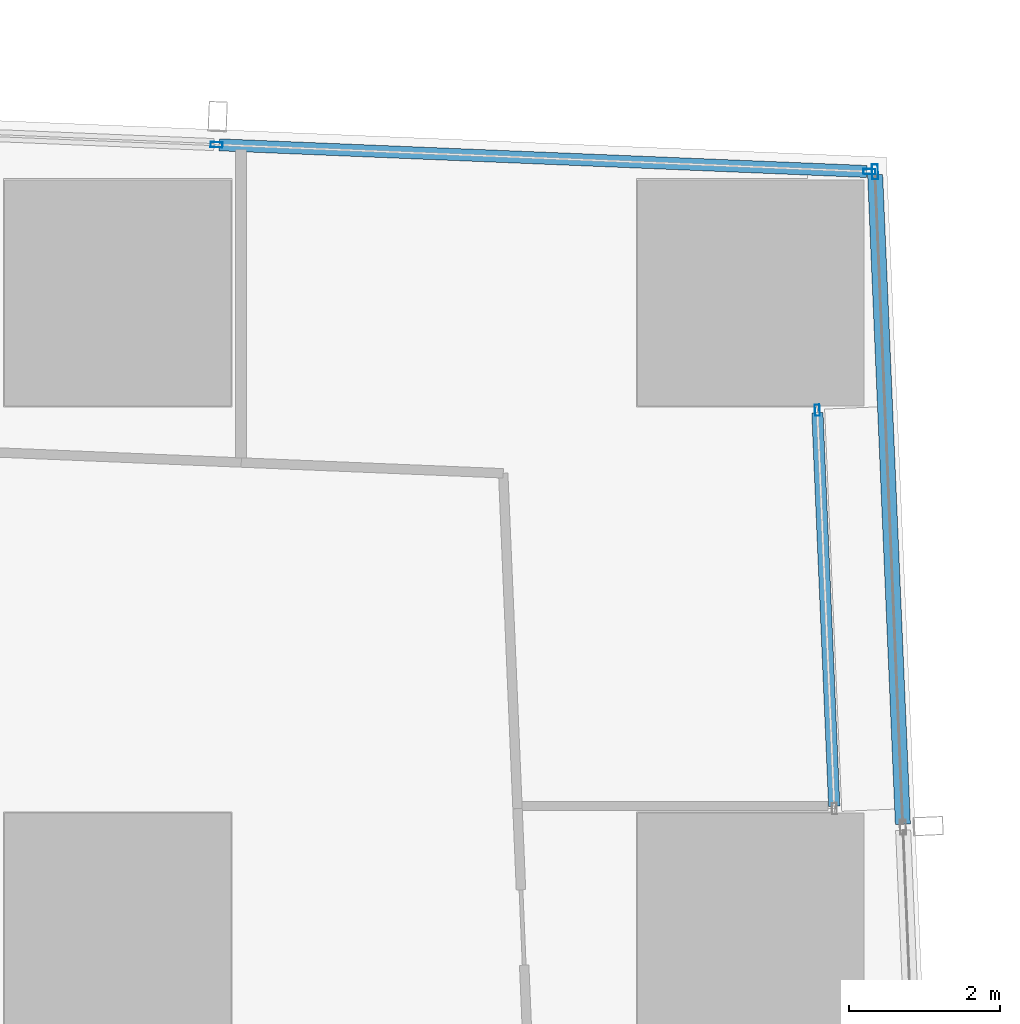
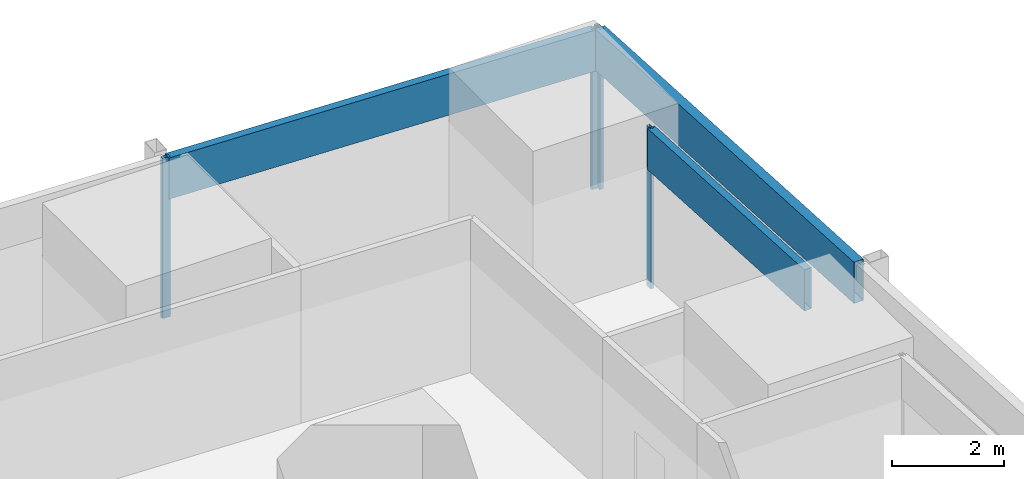
# One storey, part 23 of 45: 7 members, 3 elements without a shape of their own.
"""IFC4 building model written with IfcOpenShell, lengths in metres."""

from ifc_helpers import new_model, si_unit, direction, frame, origin, origin_2d, place, context, subcontext, project, spatial, hollow_rectangle, extrude, material, material_profile, profile_set, type_object, element, aggregate, save


model = new_model("IFC4")

# Units and contexts
model_context = context("Model", 3, precision=1e-05, world=origin(), true_north=direction((0.0, 1.0)))
body_context = subcontext(model_context, "Body", "Model", "MODEL_VIEW")
ifc_project = project(units=[si_unit("LENGTHUNIT", "METRE"), si_unit("AREAUNIT", "SQUARE_METRE"), si_unit("VOLUMEUNIT", "CUBIC_METRE"), si_unit("PLANEANGLEUNIT", "RADIAN"), si_unit("MASSUNIT", "GRAM", prefix="KILO")], contexts=[model_context])

# Site, building, storey
site_placement = place(None, origin())
site = spatial("IfcSite", under=ifc_project, at=site_placement, CompositionType="ELEMENT")
building_placement = place(site_placement, origin())
building = spatial("IfcBuilding", under=site, at=building_placement, Name="Rekha Terrace Tower", CompositionType="ELEMENT")
storey_placement = place(building_placement, frame((0.0, 0.0, 77.89990234375)))
storey = spatial("IfcBuildingStorey", under=building, at=storey_placement, Name="L19", CompositionType="ELEMENT", Elevation=77.89990234375)

# Curtain wall, members
ifc_material_1 = material(Name="Aluminium framing", Category="aluminium")
curtain_wall_type_1 = type_object("IfcCurtainWallType", Name="CW1 double skin inner glazing", PredefinedType="USERDEFINED", material=ifc_material_1)
curtain_wall_1_placement = place(storey_placement, origin())
curtain_wall_1 = element("IfcCurtainWall", 1, at=curtain_wall_1_placement, inside=storey, type_object=curtain_wall_type_1, Name="CW1 double skin inner glazing", ObjectType="DOUBLE SKIN INNER GLAZING", PredefinedType="USERDEFINED")
ifc_material_2 = material(Name="Aluminium mullion section", Category="aluminium")
ifc_material_profile_1 = material_profile(ifc_material_2, hollow_rectangle(XDim=0.06494140625, YDim=0.14990234375, WallThickness=0.00390625, at=origin_2d()), Name="AL RHS 65x150")
ifc_profile_set_1 = profile_set([ifc_material_profile_1], Name="Aluminium mullion section")
member_type_1 = type_object("IfcMemberType", Name="CW1 mullion RHS 65 x 150", PredefinedType="MULLION", material=ifc_profile_set_1)
member_1_placement = place(storey_placement, frame((68.08251953125, 57.243408203125, 0.0), z_axis=(0.0, 0.0, 1.0), x_axis=(-0.999088106898, -0.042696073061, 0.0)))
member_1 = element("IfcMember", 2, at=member_1_placement, type_object=member_type_1, Name="CW1 mullion 2", PredefinedType="MULLION", context=body_context, shape_type="SweptSolid", body=[
    extrude(hollow_rectangle(XDim=0.06494140625, YDim=0.14990234375, WallThickness=0.00390625, at=origin_2d()), origin(), (0.0, 0.0, 1.0), 3.5),
])
ifc_material_3 = material(Name="Insulated aluminium spandrel box", Category="aluminium")
ifc_material_profile_2 = material_profile(ifc_material_3, hollow_rectangle(XDim=0.14990234375, YDim=0.89990234375, WallThickness=0.0029296875, at=origin_2d()), Name="AL SPANDREL BOX 150x900")
ifc_profile_set_2 = profile_set([ifc_material_profile_2], Name="Insulated aluminium spandrel box")
member_type_2 = type_object("IfcMemberType", Name="CW1 spandrel transom 150 x 900", PredefinedType="USERDEFINED", material=ifc_profile_set_2)
member_2_placement = place(storey_placement, frame((68.30712890625, 51.989013671875, 3.050048828125), z_axis=(-0.042739908497, 0.999086232625, 0.0), x_axis=(-0.999086232625, -0.042739908497, 0.0)))
member_2 = element("IfcMember", 3, at=member_2_placement, type_object=member_type_2, Name="CW1 spandrel transom 1", ObjectType="TRANSOM", PredefinedType="USERDEFINED", context=body_context, shape_type="SweptSolid", body=[
    extrude(hollow_rectangle(XDim=0.14990234375, YDim=0.89990234375, WallThickness=0.0029296875, at=origin_2d()), origin(), (0.0, 0.0, 1.0), 5.226806640625),
])
aggregate(curtain_wall_1, [member_1, member_2])

curtain_wall_type_2 = type_object("IfcCurtainWallType", Name="CW2 double skin outer glazing", PredefinedType="USERDEFINED", material=ifc_material_1)
curtain_wall_2_placement = place(storey_placement, origin())
curtain_wall_2 = element("IfcCurtainWall", 4, at=curtain_wall_2_placement, inside=storey, type_object=curtain_wall_type_2, Name="CW2 double skin outer glazing", ObjectType="DOUBLE SKIN OUTER GLAZING", PredefinedType="USERDEFINED")
ifc_material_profile_3 = material_profile(ifc_material_2, hollow_rectangle(XDim=0.080078125, YDim=0.199951171875, WallThickness=0.00390625, at=origin_2d()), Name="AL RHS 80x200")
ifc_profile_set_3 = profile_set([ifc_material_profile_3], Name="Aluminium mullion section")
member_type_3 = type_object("IfcMemberType", Name="CW2 mullion RHS 80 x 200", PredefinedType="MULLION", material=ifc_profile_set_3)
member_3_placement = place(storey_placement, frame((68.84814453125, 60.40625, 0.0), z_axis=(0.0, 0.0, 1.0), x_axis=(-0.999088106903, -0.042696072956, 0.0)))
member_3 = element("IfcMember", 5, at=member_3_placement, type_object=member_type_3, Name="CW2 mullion 5", PredefinedType="MULLION", context=body_context, shape_type="SweptSolid", body=[
    extrude(hollow_rectangle(XDim=0.080078125, YDim=0.199951171875, WallThickness=0.00390625, at=origin_2d()), origin(), (0.0, 0.0, 1.0), 3.5),
])
ifc_material_profile_4 = material_profile(ifc_material_3, hollow_rectangle(XDim=0.199951171875, YDim=0.89990234375, WallThickness=0.0029296875, at=origin_2d()), Name="AL SPANDREL BOX 200x900")
ifc_profile_set_4 = profile_set([ifc_material_profile_4], Name="Insulated aluminium spandrel box")
member_type_4 = type_object("IfcMemberType", Name="CW2 spandrel transom 200 x 900", PredefinedType="USERDEFINED", material=ifc_profile_set_4)
member_4_placement = place(storey_placement, frame((69.218017578125, 51.750244140625, 3.050048828125), z_axis=(-0.042691483974, 0.999088303002, 0.0), x_axis=(-0.999088303002, -0.042691483974, 0.0)))
member_4 = element("IfcMember", 6, at=member_4_placement, type_object=member_type_4, Name="CW2 spandrel transom 4", ObjectType="TRANSOM", PredefinedType="USERDEFINED", context=body_context, shape_type="SweptSolid", body=[
    extrude(hollow_rectangle(XDim=0.199951171875, YDim=0.89990234375, WallThickness=0.0029296875, at=origin_2d()), origin(), (0.0, 0.0, 1.0), 8.623779296875),
])
aggregate(curtain_wall_2, [member_3, member_4])

curtain_wall_type_3 = type_object("IfcCurtainWallType", Name="CW3 north unitised glazing", PredefinedType="USERDEFINED", material=ifc_material_1)
curtain_wall_3_placement = place(storey_placement, origin())
curtain_wall_3 = element("IfcCurtainWall", 7, at=curtain_wall_3_placement, inside=storey, type_object=curtain_wall_type_3, Name="CW3 unitised curtain wall", ObjectType="UNITISED CURTAIN WALL", PredefinedType="USERDEFINED")
ifc_material_profile_5 = material_profile(ifc_material_2, hollow_rectangle(XDim=0.070068359375, YDim=0.159912109375, WallThickness=0.00390625, at=origin_2d()), Name="AL RHS 70x160")
ifc_profile_set_5 = profile_set([ifc_material_profile_5], Name="Aluminium mullion section")
member_type_5 = type_object("IfcMemberType", Name="CW3 mullion RHS 70 x 160", PredefinedType="MULLION", material=ifc_profile_set_5)
member_5_placement = place(storey_placement, frame((68.77294921875, 60.4091796875, 0.0), z_axis=(0.0, 0.0, 1.0), x_axis=(-0.041173846041, -0.999151997647, 0.0)))
member_5 = element("IfcMember", 8, at=member_5_placement, type_object=member_type_5, Name="CW3 mullion 1", PredefinedType="MULLION", context=body_context, shape_type="SweptSolid", body=[
    extrude(hollow_rectangle(XDim=0.070068359375, YDim=0.159912109375, WallThickness=0.00390625, at=origin_2d()), origin(), (0.0, 0.0, 1.0), 3.5),
])
member_6_placement = place(storey_placement, frame((60.111572265625, 60.76611328125, 0.0), z_axis=(0.0, 0.0, 1.0), x_axis=(-0.041173846041, -0.999151997647, 0.0)))
member_6 = element("IfcMember", 9, at=member_6_placement, type_object=member_type_5, Name="CW3 mullion 2", PredefinedType="MULLION", context=body_context, shape_type="SweptSolid", body=[
    extrude(hollow_rectangle(XDim=0.070068359375, YDim=0.159912109375, WallThickness=0.00390625, at=origin_2d()), origin(), (0.0, 0.0, 1.0), 3.5),
])
ifc_material_profile_6 = material_profile(ifc_material_3, hollow_rectangle(XDim=0.159912109375, YDim=0.89990234375, WallThickness=0.0029296875, at=origin_2d()), Name="AL SPANDREL BOX 160x900")
ifc_profile_set_6 = profile_set([ifc_material_profile_6], Name="Insulated aluminium spandrel box")
member_type_6 = type_object("IfcMemberType", Name="CW3 spandrel transom 160 x 900", PredefinedType="USERDEFINED", material=ifc_profile_set_6)
member_7_placement = place(storey_placement, frame((68.738037109375, 60.41064453125, 3.050048828125), z_axis=(-0.99915220621, 0.041168784604, 0.0), x_axis=(-0.041168784604, -0.99915220621, 0.0)))
member_7 = element("IfcMember", 10, at=member_7_placement, type_object=member_type_6, Name="CW3 spandrel transom 1", ObjectType="TRANSOM", PredefinedType="USERDEFINED", context=body_context, shape_type="SweptSolid", body=[
    extrude(hollow_rectangle(XDim=0.159912109375, YDim=0.89990234375, WallThickness=0.0029296875, at=origin_2d()), origin(), (0.0, 0.0, 1.0), 8.598876953125),
])
aggregate(curtain_wall_3, [member_5, member_6, member_7])

save(model, "model.ifc")
